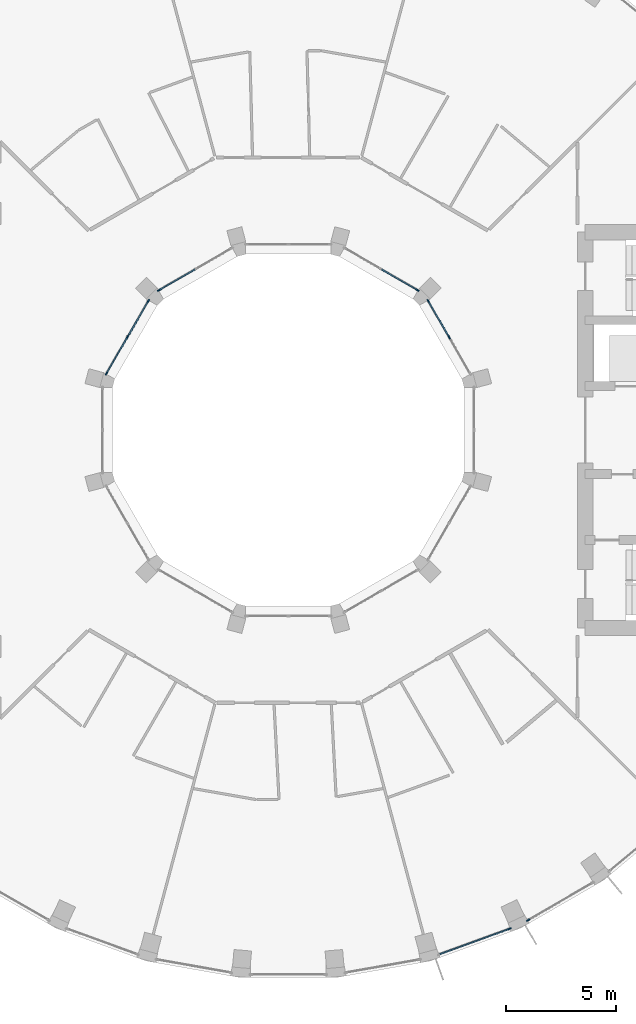
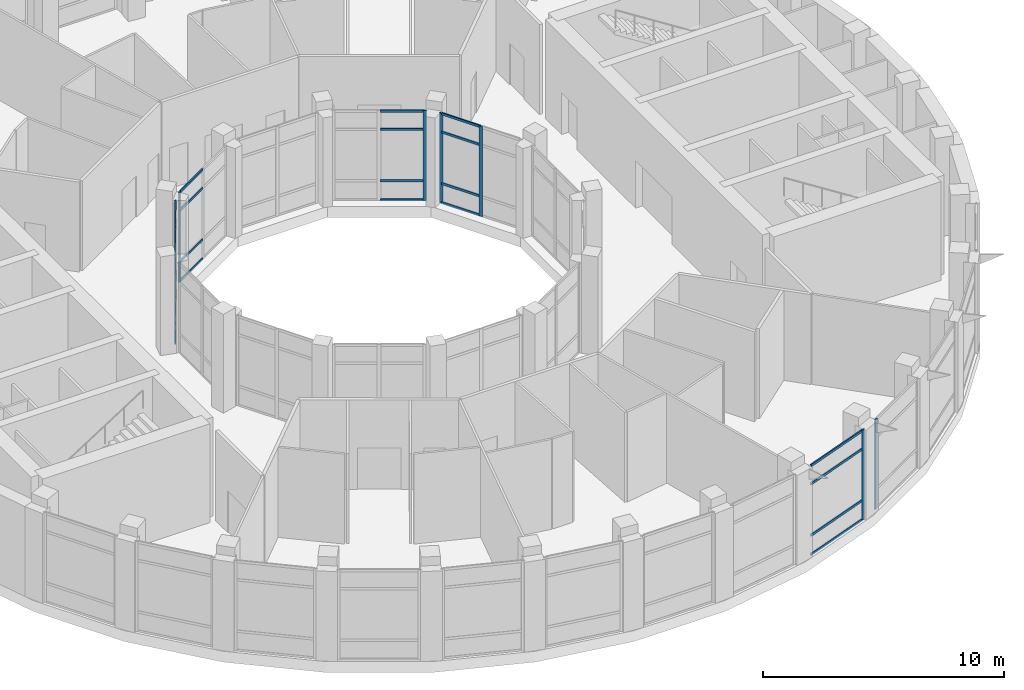
# One storey, part 4 of 18: 33 members, 6 elements without a shape of their own.
"""IFC4 building model written with IfcOpenShell, lengths in metres."""

from ifc_helpers import new_model, si_unit, direction, frame, origin, origin_2d, place, context, subcontext, project, spatial, rectangle, extrude, material, layer, layer_set, material_profile, profile_set, type_object, element, aggregate, save


model = new_model("IFC4")

# Units and contexts
model_context = context("Model", 3, precision=1e-05, world=origin(), true_north=direction((0.0, 1.0)))
body_context = subcontext(model_context, "Body", "Model", "MODEL_VIEW")
ifc_project = project(units=[si_unit("LENGTHUNIT", "METRE"), si_unit("AREAUNIT", "SQUARE_METRE"), si_unit("VOLUMEUNIT", "CUBIC_METRE"), si_unit("PLANEANGLEUNIT", "RADIAN"), si_unit("MASSUNIT", "GRAM", prefix="KILO")], contexts=[model_context])

# Site, building, storey
site_placement = place(None, origin())
site = spatial("IfcSite", under=ifc_project, at=site_placement, CompositionType="ELEMENT")
building_placement = place(site_placement, origin())
building = spatial("IfcBuilding", under=site, at=building_placement, Name="Saqina Gate Tower", CompositionType="ELEMENT")
storey_placement = place(building_placement, frame((0.0, 0.0, 155.800048828125)))
storey = spatial("IfcBuildingStorey", under=building, at=storey_placement, Name="L44", CompositionType="ELEMENT", Elevation=155.800048828125)

# Curtain wall, member
ifc_material_1 = material(Name="Aluminium glazing", Category="aluminium")
ifc_layer_1 = layer(ifc_material_1, 0.159912109375)
ifc_layer_set_1 = layer_set([ifc_layer_1], Name="CWT-2")
curtain_wall_type_1 = type_object("IfcCurtainWallType", Name="CWT-2", PredefinedType="NOTDEFINED", material=ifc_layer_set_1)
curtain_wall_1_placement = place(storey_placement, origin())
curtain_wall_1 = element("IfcCurtainWall", 1, at=curtain_wall_1_placement, inside=storey, type_object=curtain_wall_type_1, Name="Sky lounge glazing facet 29", PredefinedType="NOTDEFINED")
ifc_material_2 = material(Name="Aluminium", Category="aluminium")
ifc_material_profile_1 = material_profile(ifc_material_2, rectangle(XDim=0.06005859375, YDim=0.159912109375, at=origin_2d()), Name="Aluminium 60x160")
ifc_profile_set_1 = profile_set([ifc_material_profile_1], Name="Aluminium")
member_type_1 = type_object("IfcMemberType", Name="CWT-2M", PredefinedType="MULLION", material=ifc_profile_set_1)
member_1_placement = place(storey_placement, frame((10.059326171875, -22.682373046875, 0.0), z_axis=(0.0, 0.0, 1.0), x_axis=(-0.342024671777, 0.939690972552, 0.0)))
member_1 = element("IfcMember", 2, at=member_1_placement, type_object=member_type_1, Name="CW2-29 mullion 2", PredefinedType="MULLION", context=body_context, shape_type="SweptSolid", body=[
    extrude(rectangle(XDim=0.06005859375, YDim=0.159912109375, at=origin_2d()), origin(), (0.0, 0.0, 1.0), 4.550048828125),
])

curtain_wall_2_placement = place(storey_placement, origin())
curtain_wall_2 = element("IfcCurtainWall", 3, at=curtain_wall_2_placement, inside=storey, type_object=curtain_wall_type_1, Name="Sky lounge glazing facet 30", PredefinedType="NOTDEFINED")
member_2_placement = place(storey_placement, frame((10.90966796875, -22.285888671875, 0.0), z_axis=(0.0, 0.0, 1.0), x_axis=(-0.500014364391, 0.866017110341, 0.0)))
member_2 = element("IfcMember", 4, at=member_2_placement, type_object=member_type_1, Name="CW2-30 mullion 1", PredefinedType="MULLION", context=body_context, shape_type="SweptSolid", body=[
    extrude(rectangle(XDim=0.06005859375, YDim=0.159912109375, at=origin_2d()), origin(), (0.0, 0.0, 1.0), 4.550048828125),
])
aggregate(curtain_wall_2, [member_2])

# Member
ifc_material_3 = material(Name="Aluminium", Category="aluminium")
ifc_material_profile_2 = material_profile(ifc_material_3, rectangle(XDim=0.06005859375, YDim=0.1201171875, at=origin_2d()), Name="Aluminium 60x120")
ifc_profile_set_2 = profile_set([ifc_material_profile_2], Name="Aluminium")
member_type_2 = type_object("IfcMemberType", Name="CWT-2T", PredefinedType="USERDEFINED", material=ifc_profile_set_2)
member_3_placement = place(storey_placement, frame((6.902099609375, -23.831298828125, 0.030029296875), z_axis=(0.939707761266, 0.341978542333, 0.0), x_axis=(-0.341978542333, 0.939707761266, 0.0)))
member_3 = element("IfcMember", 5, at=member_3_placement, type_object=member_type_2, Name="CW2-29 transom 1.1", ObjectType="TRANSOM", PredefinedType="USERDEFINED", context=body_context, shape_type="SweptSolid", body=[
    extrude(rectangle(XDim=0.06005859375, YDim=0.1201171875, at=origin_2d()), origin(), (0.0, 0.0, 1.0), 3.32958984375),
])

member_4_placement = place(storey_placement, frame((6.902099609375, -23.831298828125, 1.0), z_axis=(0.939707761266, 0.341978542333, 0.0), x_axis=(-0.341978542333, 0.939707761266, 0.0)))
member_4 = element("IfcMember", 6, at=member_4_placement, type_object=member_type_2, Name="CW2-29 transom 1.2", ObjectType="TRANSOM", PredefinedType="USERDEFINED", context=body_context, shape_type="SweptSolid", body=[
    extrude(rectangle(XDim=0.06005859375, YDim=0.1201171875, at=origin_2d()), origin(), (0.0, 0.0, 1.0), 3.32958984375),
])

member_5_placement = place(storey_placement, frame((6.902099609375, -23.831298828125, 3.599853515625), z_axis=(0.939707761266, 0.341978542333, 0.0), x_axis=(-0.341978542333, 0.939707761266, 0.0)))
member_5 = element("IfcMember", 7, at=member_5_placement, type_object=member_type_2, Name="CW2-29 transom 1.3", ObjectType="TRANSOM", PredefinedType="USERDEFINED", context=body_context, shape_type="SweptSolid", body=[
    extrude(rectangle(XDim=0.06005859375, YDim=0.1201171875, at=origin_2d()), origin(), (0.0, 0.0, 1.0), 3.32958984375),
])

member_6_placement = place(storey_placement, frame((6.902099609375, -23.831298828125, 4.52001953125), z_axis=(0.939707761266, 0.341978542333, 0.0), x_axis=(-0.341978542333, 0.939707761266, 0.0)))
member_6 = element("IfcMember", 8, at=member_6_placement, type_object=member_type_2, Name="CW2-29 transom 1.4", ObjectType="TRANSOM", PredefinedType="USERDEFINED", context=body_context, shape_type="SweptSolid", body=[
    extrude(rectangle(XDim=0.06005859375, YDim=0.1201171875, at=origin_2d()), origin(), (0.0, 0.0, 1.0), 3.32958984375),
])

aggregate(curtain_wall_1, [member_1, member_3, member_4, member_5, member_6])

# Curtain wall, members
ifc_material_4 = material(Name="Aluminium glazing", Category="aluminium")
ifc_layer_2 = layer(ifc_material_4, 0.159912109375)
ifc_layer_set_2 = layer_set([ifc_layer_2], Name="CWT-3")
curtain_wall_type_2 = type_object("IfcCurtainWallType", Name="CWT-3", PredefinedType="NOTDEFINED", material=ifc_layer_set_2)
curtain_wall_3_placement = place(storey_placement, origin())
curtain_wall_3 = element("IfcCurtainWall", 9, at=curtain_wall_3_placement, inside=storey, type_object=curtain_wall_type_2, Name="Sky lounge well glazing L44 facet 1", PredefinedType="NOTDEFINED")
ifc_material_5 = material(Name="Aluminium", Category="aluminium")
ifc_material_profile_3 = material_profile(ifc_material_5, rectangle(XDim=0.06005859375, YDim=0.159912109375, at=origin_2d()), Name="Aluminium 60x160")
ifc_profile_set_3 = profile_set([ifc_material_profile_3], Name="Aluminium")
member_type_3 = type_object("IfcMemberType", Name="CWT-3M", PredefinedType="MULLION", material=ifc_profile_set_3)
member_7_placement = place(storey_placement, frame((7.31787109375, 4.22509765625, 0.0), z_axis=(0.0, 0.0, 1.0), x_axis=(-0.866017760546, -0.500013238243, 0.0)))
member_7 = element("IfcMember", 10, at=member_7_placement, type_object=member_type_3, Name="CW3-01 mullion 2", PredefinedType="MULLION", context=body_context, shape_type="SweptSolid", body=[
    extrude(rectangle(XDim=0.06005859375, YDim=0.159912109375, at=origin_2d()), origin(), (0.0, 0.0, 1.0), 4.550048828125),
])
member_8_placement = place(storey_placement, frame((6.365478515625, 5.874755859375, 0.0), z_axis=(0.0, 0.0, 1.0), x_axis=(-0.866017760546, -0.500013238243, 0.0)))
member_8 = element("IfcMember", 11, at=member_8_placement, type_object=member_type_3, Name="CW3-01 mullion 3", PredefinedType="MULLION", context=body_context, shape_type="SweptSolid", body=[
    extrude(rectangle(XDim=0.06005859375, YDim=0.159912109375, at=origin_2d()), origin(), (0.0, 0.0, 1.0), 4.550048828125),
])

# Curtain wall, member
curtain_wall_4_placement = place(storey_placement, origin())
curtain_wall_4 = element("IfcCurtainWall", 12, at=curtain_wall_4_placement, inside=storey, type_object=curtain_wall_type_2, Name="Sky lounge well glazing L44 facet 2", PredefinedType="NOTDEFINED")
member_9_placement = place(storey_placement, frame((5.874755859375, 6.365478515625, 0.0), z_axis=(0.0, 0.0, 1.0), x_axis=(-0.500013238243, -0.866017760546, 0.0)))
member_9 = element("IfcMember", 13, at=member_9_placement, type_object=member_type_3, Name="CW3-02 mullion 1", PredefinedType="MULLION", context=body_context, shape_type="SweptSolid", body=[
    extrude(rectangle(XDim=0.06005859375, YDim=0.159912109375, at=origin_2d()), origin(), (0.0, 0.0, 1.0), 4.550048828125),
])

curtain_wall_5_placement = place(storey_placement, origin())
curtain_wall_5 = element("IfcCurtainWall", 14, at=curtain_wall_5_placement, inside=storey, type_object=curtain_wall_type_2, Name="Sky lounge well glazing L44 facet 4", PredefinedType="NOTDEFINED")
member_10_placement = place(storey_placement, frame((-5.874755859375, 6.365478515625, 0.0), z_axis=(0.0, 0.0, 1.0), x_axis=(0.500013238243, -0.866017760546, 0.0)))
member_10 = element("IfcMember", 15, at=member_10_placement, type_object=member_type_3, Name="CW3-04 mullion 3", PredefinedType="MULLION", context=body_context, shape_type="SweptSolid", body=[
    extrude(rectangle(XDim=0.06005859375, YDim=0.159912109375, at=origin_2d()), origin(), (0.0, 0.0, 1.0), 4.550048828125),
])

# Curtain wall, members
curtain_wall_6_placement = place(storey_placement, origin())
curtain_wall_6 = element("IfcCurtainWall", 16, at=curtain_wall_6_placement, inside=storey, type_object=curtain_wall_type_2, Name="Sky lounge well glazing L44 facet 5", PredefinedType="NOTDEFINED")
member_11_placement = place(storey_placement, frame((-6.365478515625, 5.874755859375, 0.0), z_axis=(0.0, 0.0, 1.0), x_axis=(0.866017760546, -0.500013238243, 0.0)))
member_11 = element("IfcMember", 17, at=member_11_placement, type_object=member_type_3, Name="CW3-05 mullion 1", PredefinedType="MULLION", context=body_context, shape_type="SweptSolid", body=[
    extrude(rectangle(XDim=0.06005859375, YDim=0.159912109375, at=origin_2d()), origin(), (0.0, 0.0, 1.0), 4.550048828125),
])
member_12_placement = place(storey_placement, frame((-7.31787109375, 4.22509765625, 0.0), z_axis=(0.0, 0.0, 1.0), x_axis=(0.866017760546, -0.500013238243, 0.0)))
member_12 = element("IfcMember", 18, at=member_12_placement, type_object=member_type_3, Name="CW3-05 mullion 2", PredefinedType="MULLION", context=body_context, shape_type="SweptSolid", body=[
    extrude(rectangle(XDim=0.06005859375, YDim=0.159912109375, at=origin_2d()), origin(), (0.0, 0.0, 1.0), 4.550048828125),
])
member_13_placement = place(storey_placement, frame((-8.2705078125, 2.5751953125, 0.0), z_axis=(0.0, 0.0, 1.0), x_axis=(0.866017760546, -0.500013238243, 0.0)))
member_13 = element("IfcMember", 19, at=member_13_placement, type_object=member_type_3, Name="CW3-05 mullion 3", PredefinedType="MULLION", context=body_context, shape_type="SweptSolid", body=[
    extrude(rectangle(XDim=0.06005859375, YDim=0.159912109375, at=origin_2d()), origin(), (0.0, 0.0, 1.0), 4.550048828125),
])

# Member
ifc_material_6 = material(Name="Aluminium", Category="aluminium")
ifc_material_profile_4 = material_profile(ifc_material_6, rectangle(XDim=0.06005859375, YDim=0.1201171875, at=origin_2d()), Name="Aluminium 60x120")
ifc_profile_set_4 = profile_set([ifc_material_profile_4], Name="Aluminium")
member_type_4 = type_object("IfcMemberType", Name="CWT-3T", PredefinedType="USERDEFINED", material=ifc_profile_set_4)
member_14_placement = place(storey_placement, frame((7.302978515625, 4.2509765625, 0.030029296875), z_axis=(-0.500081365731, 0.865978422161, 0.0), x_axis=(-0.865978422161, -0.500081365731, 0.0)))
member_14 = element("IfcMember", 20, at=member_14_placement, type_object=member_type_4, Name="CW3-01 transom 2.1", ObjectType="TRANSOM", PredefinedType="USERDEFINED", context=body_context, shape_type="SweptSolid", body=[
    extrude(rectangle(XDim=0.06005859375, YDim=0.1201171875, at=origin_2d()), origin(), (0.0, 0.0, 1.0), 1.844970703125),
])

member_15_placement = place(storey_placement, frame((7.302978515625, 4.2509765625, 1.0), z_axis=(-0.500081365731, 0.865978422161, 0.0), x_axis=(-0.865978422161, -0.500081365731, 0.0)))
member_15 = element("IfcMember", 21, at=member_15_placement, type_object=member_type_4, Name="CW3-01 transom 2.2", ObjectType="TRANSOM", PredefinedType="USERDEFINED", context=body_context, shape_type="SweptSolid", body=[
    extrude(rectangle(XDim=0.06005859375, YDim=0.1201171875, at=origin_2d()), origin(), (0.0, 0.0, 1.0), 1.844970703125),
])

member_16_placement = place(storey_placement, frame((7.302978515625, 4.2509765625, 3.599853515625), z_axis=(-0.500081365731, 0.865978422161, 0.0), x_axis=(-0.865978422161, -0.500081365731, 0.0)))
member_16 = element("IfcMember", 22, at=member_16_placement, type_object=member_type_4, Name="CW3-01 transom 2.3", ObjectType="TRANSOM", PredefinedType="USERDEFINED", context=body_context, shape_type="SweptSolid", body=[
    extrude(rectangle(XDim=0.06005859375, YDim=0.1201171875, at=origin_2d()), origin(), (0.0, 0.0, 1.0), 1.844970703125),
])

member_17_placement = place(storey_placement, frame((7.302978515625, 4.2509765625, 4.52001953125), z_axis=(-0.500081365731, 0.865978422161, 0.0), x_axis=(-0.865978422161, -0.500081365731, 0.0)))
member_17 = element("IfcMember", 23, at=member_17_placement, type_object=member_type_4, Name="CW3-01 transom 2.4", ObjectType="TRANSOM", PredefinedType="USERDEFINED", context=body_context, shape_type="SweptSolid", body=[
    extrude(rectangle(XDim=0.06005859375, YDim=0.1201171875, at=origin_2d()), origin(), (0.0, 0.0, 1.0), 1.844970703125),
])

aggregate(curtain_wall_3, [member_7, member_8, member_14, member_15, member_16, member_17])

member_18_placement = place(storey_placement, frame((5.8486328125, 6.38037109375, 0.030029296875), z_axis=(-0.865978422161, 0.500081365731, 0.0), x_axis=(-0.500081365731, -0.865978422161, 0.0)))
member_18 = element("IfcMember", 24, at=member_18_placement, type_object=member_type_4, Name="CW3-02 transom 1.1", ObjectType="TRANSOM", PredefinedType="USERDEFINED", context=body_context, shape_type="SweptSolid", body=[
    extrude(rectangle(XDim=0.06005859375, YDim=0.1201171875, at=origin_2d()), origin(), (0.0, 0.0, 1.0), 1.844970703125),
])

member_19_placement = place(storey_placement, frame((5.8486328125, 6.38037109375, 1.0), z_axis=(-0.865978422161, 0.500081365731, 0.0), x_axis=(-0.500081365731, -0.865978422161, 0.0)))
member_19 = element("IfcMember", 25, at=member_19_placement, type_object=member_type_4, Name="CW3-02 transom 1.2", ObjectType="TRANSOM", PredefinedType="USERDEFINED", context=body_context, shape_type="SweptSolid", body=[
    extrude(rectangle(XDim=0.06005859375, YDim=0.1201171875, at=origin_2d()), origin(), (0.0, 0.0, 1.0), 1.844970703125),
])

member_20_placement = place(storey_placement, frame((5.8486328125, 6.38037109375, 3.599853515625), z_axis=(-0.865978422161, 0.500081365731, 0.0), x_axis=(-0.500081365731, -0.865978422161, 0.0)))
member_20 = element("IfcMember", 26, at=member_20_placement, type_object=member_type_4, Name="CW3-02 transom 1.3", ObjectType="TRANSOM", PredefinedType="USERDEFINED", context=body_context, shape_type="SweptSolid", body=[
    extrude(rectangle(XDim=0.06005859375, YDim=0.1201171875, at=origin_2d()), origin(), (0.0, 0.0, 1.0), 1.844970703125),
])

member_21_placement = place(storey_placement, frame((5.8486328125, 6.38037109375, 4.52001953125), z_axis=(-0.865978422161, 0.500081365731, 0.0), x_axis=(-0.500081365731, -0.865978422161, 0.0)))
member_21 = element("IfcMember", 27, at=member_21_placement, type_object=member_type_4, Name="CW3-02 transom 1.4", ObjectType="TRANSOM", PredefinedType="USERDEFINED", context=body_context, shape_type="SweptSolid", body=[
    extrude(rectangle(XDim=0.06005859375, YDim=0.1201171875, at=origin_2d()), origin(), (0.0, 0.0, 1.0), 1.844970703125),
])

aggregate(curtain_wall_4, [member_9, member_18, member_19, member_20, member_21])

member_22_placement = place(storey_placement, frame((-4.2509765625, 7.302978515625, 0.030029296875), z_axis=(-0.865978422161, -0.500081365731, 0.0), x_axis=(0.500081365731, -0.865978422161, 0.0)))
member_22 = element("IfcMember", 28, at=member_22_placement, type_object=member_type_4, Name="CW3-04 transom 2.1", ObjectType="TRANSOM", PredefinedType="USERDEFINED", context=body_context, shape_type="SweptSolid", body=[
    extrude(rectangle(XDim=0.06005859375, YDim=0.1201171875, at=origin_2d()), origin(), (0.0, 0.0, 1.0), 1.844970703125),
])

member_23_placement = place(storey_placement, frame((-4.2509765625, 7.302978515625, 1.0), z_axis=(-0.865978422161, -0.500081365731, 0.0), x_axis=(0.500081365731, -0.865978422161, 0.0)))
member_23 = element("IfcMember", 29, at=member_23_placement, type_object=member_type_4, Name="CW3-04 transom 2.2", ObjectType="TRANSOM", PredefinedType="USERDEFINED", context=body_context, shape_type="SweptSolid", body=[
    extrude(rectangle(XDim=0.06005859375, YDim=0.1201171875, at=origin_2d()), origin(), (0.0, 0.0, 1.0), 1.844970703125),
])

member_24_placement = place(storey_placement, frame((-4.2509765625, 7.302978515625, 3.599853515625), z_axis=(-0.865978422161, -0.500081365731, 0.0), x_axis=(0.500081365731, -0.865978422161, 0.0)))
member_24 = element("IfcMember", 30, at=member_24_placement, type_object=member_type_4, Name="CW3-04 transom 2.3", ObjectType="TRANSOM", PredefinedType="USERDEFINED", context=body_context, shape_type="SweptSolid", body=[
    extrude(rectangle(XDim=0.06005859375, YDim=0.1201171875, at=origin_2d()), origin(), (0.0, 0.0, 1.0), 1.844970703125),
])

member_25_placement = place(storey_placement, frame((-4.2509765625, 7.302978515625, 4.52001953125), z_axis=(-0.865978422161, -0.500081365731, 0.0), x_axis=(0.500081365731, -0.865978422161, 0.0)))
member_25 = element("IfcMember", 31, at=member_25_placement, type_object=member_type_4, Name="CW3-04 transom 2.4", ObjectType="TRANSOM", PredefinedType="USERDEFINED", context=body_context, shape_type="SweptSolid", body=[
    extrude(rectangle(XDim=0.06005859375, YDim=0.1201171875, at=origin_2d()), origin(), (0.0, 0.0, 1.0), 1.844970703125),
])

aggregate(curtain_wall_5, [member_10, member_22, member_23, member_24, member_25])

member_26_placement = place(storey_placement, frame((-6.38037109375, 5.8486328125, 0.030029296875), z_axis=(-0.500081365731, -0.865978422161, 0.0), x_axis=(0.865978422161, -0.500081365731, 0.0)))
member_26 = element("IfcMember", 32, at=member_26_placement, type_object=member_type_4, Name="CW3-05 transom 1.1", ObjectType="TRANSOM", PredefinedType="USERDEFINED", context=body_context, shape_type="SweptSolid", body=[
    extrude(rectangle(XDim=0.06005859375, YDim=0.1201171875, at=origin_2d()), origin(), (0.0, 0.0, 1.0), 1.844970703125),
])

member_27_placement = place(storey_placement, frame((-6.38037109375, 5.8486328125, 1.0), z_axis=(-0.500081365731, -0.865978422161, 0.0), x_axis=(0.865978422161, -0.500081365731, 0.0)))
member_27 = element("IfcMember", 33, at=member_27_placement, type_object=member_type_4, Name="CW3-05 transom 1.2", ObjectType="TRANSOM", PredefinedType="USERDEFINED", context=body_context, shape_type="SweptSolid", body=[
    extrude(rectangle(XDim=0.06005859375, YDim=0.1201171875, at=origin_2d()), origin(), (0.0, 0.0, 1.0), 1.844970703125),
])

member_28_placement = place(storey_placement, frame((-6.38037109375, 5.8486328125, 3.599853515625), z_axis=(-0.500081365731, -0.865978422161, 0.0), x_axis=(0.865978422161, -0.500081365731, 0.0)))
member_28 = element("IfcMember", 34, at=member_28_placement, type_object=member_type_4, Name="CW3-05 transom 1.3", ObjectType="TRANSOM", PredefinedType="USERDEFINED", context=body_context, shape_type="SweptSolid", body=[
    extrude(rectangle(XDim=0.06005859375, YDim=0.1201171875, at=origin_2d()), origin(), (0.0, 0.0, 1.0), 1.844970703125),
])

member_29_placement = place(storey_placement, frame((-6.38037109375, 5.8486328125, 4.52001953125), z_axis=(-0.500081365731, -0.865978422161, 0.0), x_axis=(0.865978422161, -0.500081365731, 0.0)))
member_29 = element("IfcMember", 35, at=member_29_placement, type_object=member_type_4, Name="CW3-05 transom 1.4", ObjectType="TRANSOM", PredefinedType="USERDEFINED", context=body_context, shape_type="SweptSolid", body=[
    extrude(rectangle(XDim=0.06005859375, YDim=0.1201171875, at=origin_2d()), origin(), (0.0, 0.0, 1.0), 1.844970703125),
])

member_30_placement = place(storey_placement, frame((-7.3330078125, 4.198974609375, 0.030029296875), z_axis=(-0.499982117899, -0.866035727774, 0.0), x_axis=(0.866035727774, -0.499982117899, 0.0)))
member_30 = element("IfcMember", 36, at=member_30_placement, type_object=member_type_4, Name="CW3-05 transom 2.1", ObjectType="TRANSOM", PredefinedType="USERDEFINED", context=body_context, shape_type="SweptSolid", body=[
    extrude(rectangle(XDim=0.06005859375, YDim=0.1201171875, at=origin_2d()), origin(), (0.0, 0.0, 1.0), 1.8447265625),
])

member_31_placement = place(storey_placement, frame((-7.3330078125, 4.198974609375, 1.0), z_axis=(-0.499982117899, -0.866035727774, 0.0), x_axis=(0.866035727774, -0.499982117899, 0.0)))
member_31 = element("IfcMember", 37, at=member_31_placement, type_object=member_type_4, Name="CW3-05 transom 2.2", ObjectType="TRANSOM", PredefinedType="USERDEFINED", context=body_context, shape_type="SweptSolid", body=[
    extrude(rectangle(XDim=0.06005859375, YDim=0.1201171875, at=origin_2d()), origin(), (0.0, 0.0, 1.0), 1.8447265625),
])

member_32_placement = place(storey_placement, frame((-7.3330078125, 4.198974609375, 3.599853515625), z_axis=(-0.499982117899, -0.866035727774, 0.0), x_axis=(0.866035727774, -0.499982117899, 0.0)))
member_32 = element("IfcMember", 38, at=member_32_placement, type_object=member_type_4, Name="CW3-05 transom 2.3", ObjectType="TRANSOM", PredefinedType="USERDEFINED", context=body_context, shape_type="SweptSolid", body=[
    extrude(rectangle(XDim=0.06005859375, YDim=0.1201171875, at=origin_2d()), origin(), (0.0, 0.0, 1.0), 1.8447265625),
])

member_33_placement = place(storey_placement, frame((-7.3330078125, 4.198974609375, 4.52001953125), z_axis=(-0.499982117899, -0.866035727774, 0.0), x_axis=(0.866035727774, -0.499982117899, 0.0)))
member_33 = element("IfcMember", 39, at=member_33_placement, type_object=member_type_4, Name="CW3-05 transom 2.4", ObjectType="TRANSOM", PredefinedType="USERDEFINED", context=body_context, shape_type="SweptSolid", body=[
    extrude(rectangle(XDim=0.06005859375, YDim=0.1201171875, at=origin_2d()), origin(), (0.0, 0.0, 1.0), 1.8447265625),
])

aggregate(curtain_wall_6, [member_11, member_12, member_13, member_26, member_27, member_28, member_29, member_30, member_31, member_32, member_33])

save(model, "model.ifc")
